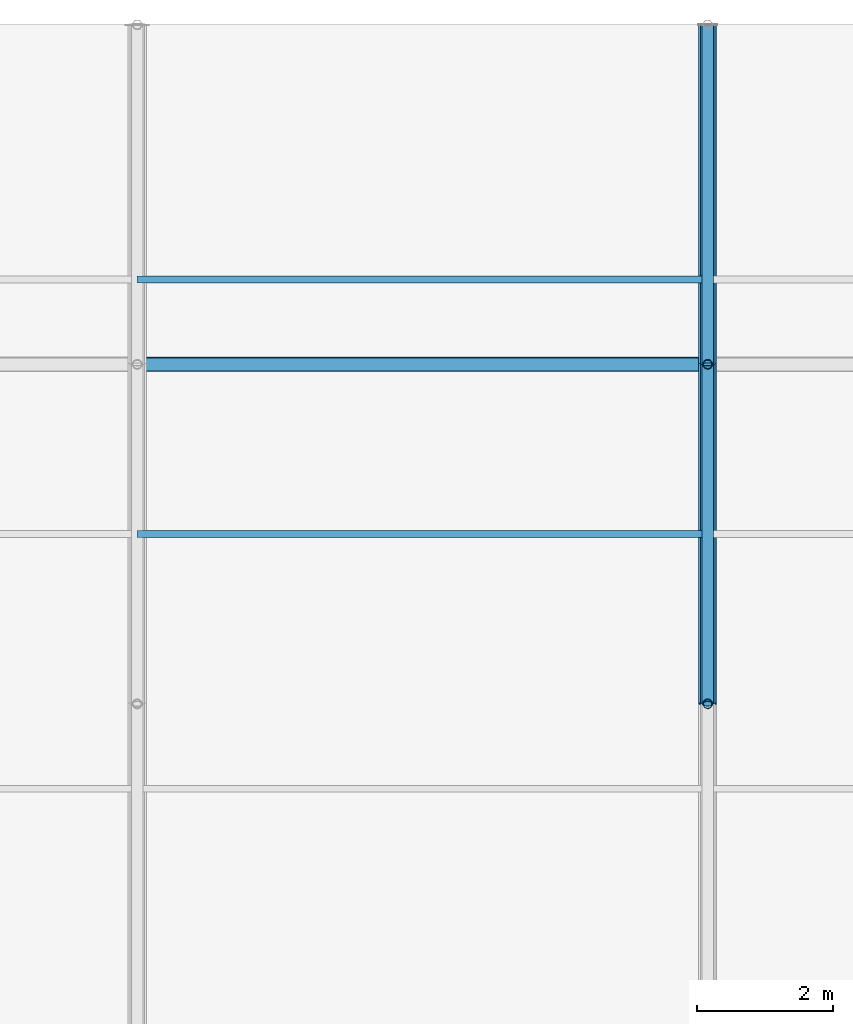
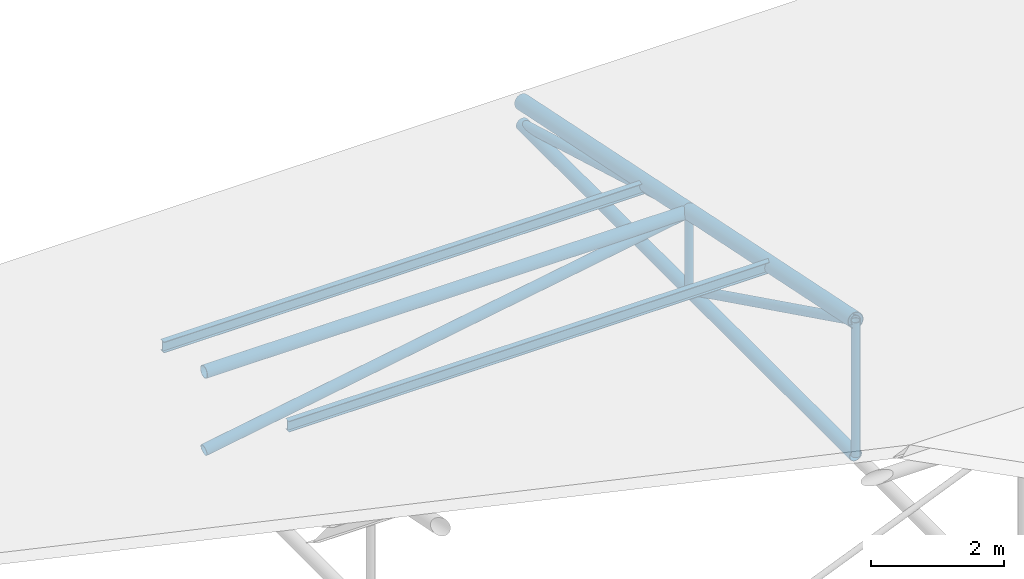
# One storey, part 50 of 194: 10 members, 2 beams.
"""IFC4 building model written with IfcOpenShell, lengths in metres."""

from ifc_helpers import new_model, si_unit, direction, frame, origin, origin_2d, place, context, subcontext, project, spatial, hollow_circle, i_section, extrude, material, material_profile, profile_set, type_object, element, save


model = new_model("IFC4")

# Units and contexts
model_context = context("Model", 3, precision=1e-05, world=origin(), true_north=direction((0.0, 1.0)))
body_context = subcontext(model_context, "Body", "Model", "MODEL_VIEW")
ifc_project = project(units=[si_unit("LENGTHUNIT", "METRE"), si_unit("AREAUNIT", "SQUARE_METRE"), si_unit("VOLUMEUNIT", "CUBIC_METRE"), si_unit("PLANEANGLEUNIT", "RADIAN"), si_unit("MASSUNIT", "GRAM", prefix="KILO")], contexts=[model_context])

# Site, building, storey
site_placement = place(None, origin())
site = spatial("IfcSite", under=ifc_project, at=site_placement, CompositionType="ELEMENT")
building_placement = place(site_placement, origin())
building = spatial("IfcBuilding", under=site, at=building_placement, Name="Kazenagashi Tramway Depot", CompositionType="ELEMENT")
storey_placement = place(building_placement, frame((0.0, 0.0, 23.7)))
storey = spatial("IfcBuildingStorey", under=building, at=storey_placement, Name="ROOF", CompositionType="ELEMENT", Elevation=23.7)

# Beams
ifc_material_1 = material(Name="Steel SN400B", Category="steel")
ifc_material_profile_1 = material_profile(ifc_material_1, i_section(OverallWidth=0.1, OverallDepth=0.2, WebThickness=0.0055, FlangeThickness=0.008, at=origin_2d()), Name="H-200x100x5.5x8")
ifc_profile_set_1 = profile_set([ifc_material_profile_1], Name="Steel SN400B")
beam_type = type_object("IfcBeamType", Name="PR-01", PredefinedType="USERDEFINED", material=ifc_profile_set_1)
for number, where, z_axis, x_axis, name in (
    (1, (86.8, 122.5, -12.13), (1.0, 0.0, 0.0), (0.0, 1.0, 0.0), "Beam PR-01 BM-2203"),
    (2, (86.8, 126.25, -12.955), (1.0, 0.0, 0.0), (0.0, 1.0, 0.0), "Beam PR-01 BM-2221"),
):
    element("IfcBeam", number, at=place(storey_placement, frame(where, z_axis=z_axis, x_axis=x_axis)), inside=storey, type_object=beam_type, Name=name, ObjectType="PURLIN", PredefinedType="USERDEFINED", context=body_context, shape_type="SweptSolid", body=[
        extrude(i_section(OverallWidth=0.1, OverallDepth=0.2, WebThickness=0.0055, FlangeThickness=0.008, at=origin_2d()), origin(), (0.0, 0.0, 1.0), 8.4),
    ])

# Members
ifc_material_2 = material(Name="Steel STK490", Category="steel")
ifc_material_profile_2 = material_profile(ifc_material_2, hollow_circle(Radius=0.1337, WallThickness=0.0093, at=origin_2d()), Name="CHS-267.4x9.3")
ifc_profile_set_2 = profile_set([ifc_material_profile_2], Name="Steel STK490")
member_type_1 = type_object("IfcMemberType", Name="TC-01", PredefinedType="CHORD", material=ifc_profile_set_2)
member_1_placement = place(storey_placement, frame((95.2, 120.0, -11.633), z_axis=(0.0, 0.979279174591, -0.202514933305), x_axis=(-1.0, 0.0, 0.0)))
element("IfcMember", 3, at=member_1_placement, inside=storey, type_object=member_type_1, Name="Tubular Space Frame TC-01 MEM-0410", PredefinedType="CHORD", context=body_context, shape_type="SweptSolid", body=[
    extrude(hollow_circle(Radius=0.1337, WallThickness=0.0093, at=origin_2d()), origin(), (0.0, 0.0, 1.0), 5.105796),
])
member_2_placement = place(storey_placement, frame((95.2, 125.0, -12.667), z_axis=(0.0, 0.979317999984, -0.202327098797), x_axis=(-1.0, 0.0, 0.0)))
element("IfcMember", 4, at=member_2_placement, inside=storey, type_object=member_type_1, Name="Tubular Space Frame TC-01 MEM-0413", PredefinedType="CHORD", context=body_context, shape_type="SweptSolid", body=[
    extrude(hollow_circle(Radius=0.1337, WallThickness=0.0093, at=origin_2d()), origin(), (0.0, 0.0, 1.0), 5.105594),
])
ifc_material_profile_3 = material_profile(ifc_material_2, hollow_circle(Radius=0.10815, WallThickness=0.0082, at=origin_2d()), Name="CHS-216.3x8.2")
ifc_profile_set_3 = profile_set([ifc_material_profile_3], Name="Steel STK490")
member_type_2 = type_object("IfcMemberType", Name="TC-02", PredefinedType="CHORD", material=ifc_profile_set_3)
member_3_placement = place(storey_placement, frame((86.8, 125.0, -12.667), z_axis=(1.0, 0.0, 0.0), x_axis=(0.0, 1.0, 0.0)))
element("IfcMember", 5, at=member_3_placement, inside=storey, type_object=member_type_2, Name="Tubular Space Frame TC-02 MEM-0365", PredefinedType="CHORD", context=body_context, shape_type="SweptSolid", body=[
    extrude(hollow_circle(Radius=0.10815, WallThickness=0.0082, at=origin_2d()), origin(), (0.0, 0.0, 1.0), 8.4),
])
for number, where, z_axis, x_axis, name in (
    (6, (95.2, 120.0, -14.1), (0.0, 1.0, 0.0), (-1.0, 0.0, 0.0), "Tubular Space Frame TC-02 MEM-0411"),
    (7, (95.2, 125.0, -14.1), (0.0, 1.0, 0.0), (-1.0, 0.0, 0.0), "Tubular Space Frame TC-02 MEM-0414"),
):
    element("IfcMember", number, at=place(storey_placement, frame(where, z_axis=z_axis, x_axis=x_axis)), inside=storey, type_object=member_type_2, Name=name, PredefinedType="CHORD", context=body_context, shape_type="SweptSolid", body=[
        extrude(hollow_circle(Radius=0.10815, WallThickness=0.0082, at=origin_2d()), origin(), (0.0, 0.0, 1.0), 5.0),
    ])
ifc_material_profile_4 = material_profile(ifc_material_2, hollow_circle(Radius=0.0826, WallThickness=0.0071, at=origin_2d()), Name="CHS-165.2x7.1")
ifc_profile_set_4 = profile_set([ifc_material_profile_4], Name="Steel STK490")
member_type_3 = type_object("IfcMemberType", Name="TS-01", PredefinedType="STRUT", material=ifc_profile_set_4)
member_4_placement = place(storey_placement, frame((95.2, 120.0, -11.633), z_axis=(0.0, 0.896782162482, -0.442472318969), x_axis=(-1.0, 0.0, 0.0)))
element("IfcMember", 8, at=member_4_placement, inside=storey, type_object=member_type_3, Name="Tubular Space Frame TS-01 MEM-0412", PredefinedType="STRUT", context=body_context, shape_type="SweptSolid", body=[
    extrude(hollow_circle(Radius=0.0826, WallThickness=0.0071, at=origin_2d()), origin(), (0.0, 0.0, 1.0), 5.57549),
])
member_5_placement = place(storey_placement, frame((95.2, 125.0, -12.667), z_axis=(0.0, 0.961298717795, -0.27550821252), x_axis=(-1.0, 0.0, 0.0)))
element("IfcMember", 9, at=member_5_placement, inside=storey, type_object=member_type_3, Name="Tubular Space Frame TS-01 MEM-0415", PredefinedType="STRUT", context=body_context, shape_type="SweptSolid", body=[
    extrude(hollow_circle(Radius=0.0826, WallThickness=0.0071, at=origin_2d()), origin(), (0.0, 0.0, 1.0), 5.201297),
])
ifc_material_profile_5 = material_profile(ifc_material_2, hollow_circle(Radius=0.0699, WallThickness=0.0066, at=origin_2d()), Name="CHS-139.8x6.6")
ifc_profile_set_5 = profile_set([ifc_material_profile_5], Name="Steel STK490")
member_type_4 = type_object("IfcMemberType", Name="TS-02", PredefinedType="STRUT", material=ifc_profile_set_5)
member_6_placement = place(storey_placement, frame((95.2, 120.0, -14.1), z_axis=(0.0, 0.0, 1.0), x_axis=(1.0, 0.0, 0.0)))
element("IfcMember", 10, at=member_6_placement, inside=storey, type_object=member_type_4, Name="Tubular Space Frame TS-02 MEM-0419", PredefinedType="STRUT", context=body_context, shape_type="SweptSolid", body=[
    extrude(hollow_circle(Radius=0.0699, WallThickness=0.0066, at=origin_2d()), origin(), (0.0, 0.0, 1.0), 2.467),
])
member_7_placement = place(storey_placement, frame((95.2, 125.0, -14.1), z_axis=(0.0, 0.0, 1.0), x_axis=(1.0, 0.0, 0.0)))
element("IfcMember", 11, at=member_7_placement, inside=storey, type_object=member_type_4, Name="Tubular Space Frame TS-02 MEM-0420", PredefinedType="STRUT", context=body_context, shape_type="SweptSolid", body=[
    extrude(hollow_circle(Radius=0.0699, WallThickness=0.0066, at=origin_2d()), origin(), (0.0, 0.0, 1.0), 1.433),
])
ifc_material_profile_6 = material_profile(ifc_material_2, hollow_circle(Radius=0.09535, WallThickness=0.007, at=origin_2d()), Name="CHS-190.7x7.0")
ifc_profile_set_6 = profile_set([ifc_material_profile_6], Name="Steel STK490")
member_type_5 = type_object("IfcMemberType", Name="TS-05", PredefinedType="STRUT", material=ifc_profile_set_6)
member_8_placement = place(storey_placement, frame((86.8, 125.0, -14.1), z_axis=(0.985758734117, 0.0, 0.168165745951), x_axis=(0.0, 1.0, 0.0)))
element("IfcMember", 12, at=member_8_placement, inside=storey, type_object=member_type_5, Name="Tubular Space Frame TS-05 MEM-0366", PredefinedType="STRUT", context=body_context, shape_type="SweptSolid", body=[
    extrude(hollow_circle(Radius=0.09535, WallThickness=0.007, at=origin_2d()), origin(), (0.0, 0.0, 1.0), 8.521355),
])

save(model, "model.ifc")
